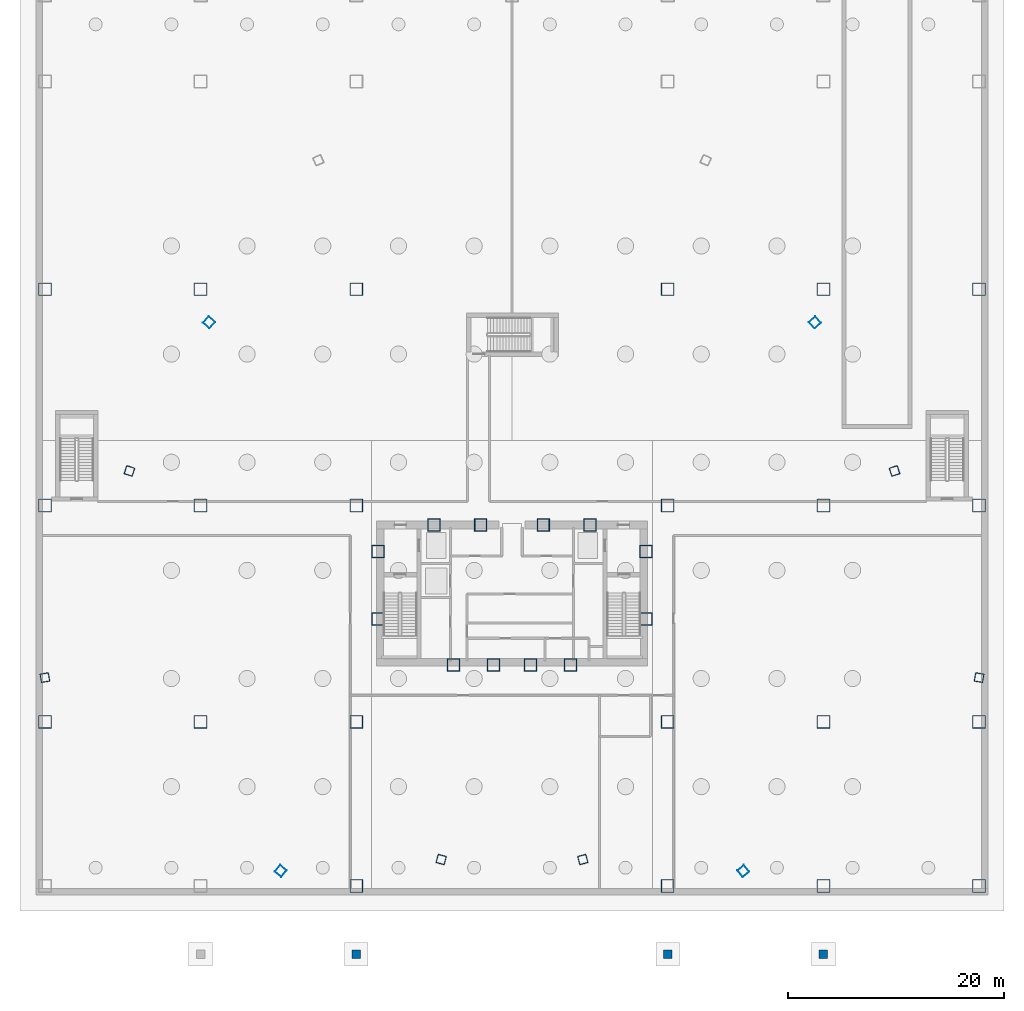
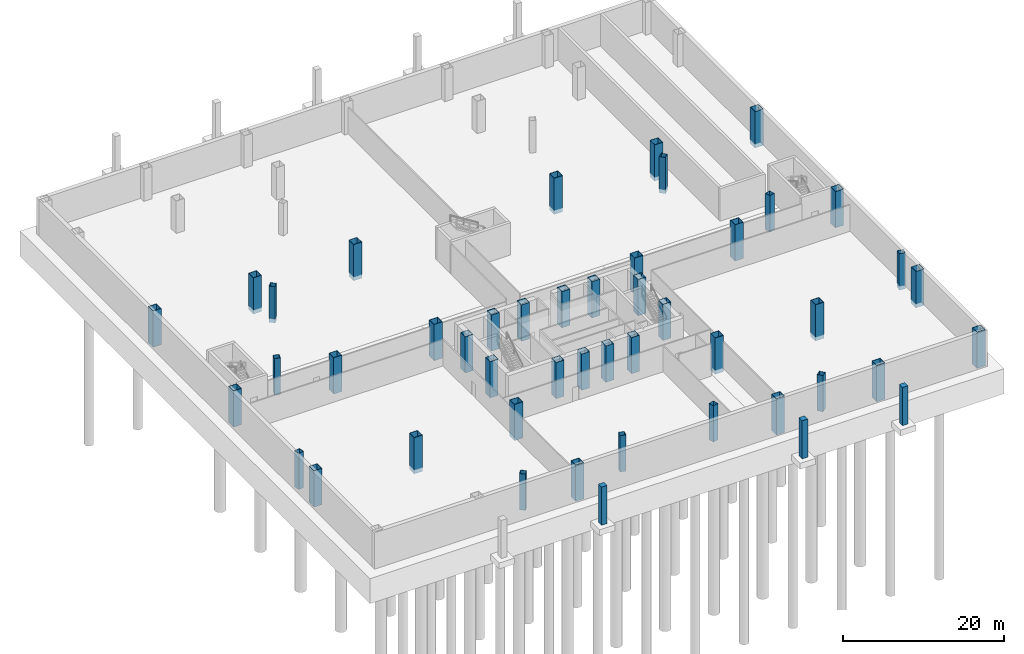
# One storey, part 2 of 15: 47 columns.
"""IFC4 building model written with IfcOpenShell, lengths in metres."""

from ifc_helpers import new_model, si_unit, direction, frame, origin, origin_2d, place, context, subcontext, project, spatial, rectangle, hollow_rectangle, extrude, source, transform, mapped, material, material_profile, profile_set, type_object, element, save


model = new_model("IFC4")

# Units and contexts
model_context = context("Model", 3, precision=1e-05, world=origin(), true_north=direction((0.0, 1.0)))
body_context = subcontext(model_context, "Body", "Model", "MODEL_VIEW")
ifc_project = project(units=[si_unit("LENGTHUNIT", "METRE"), si_unit("AREAUNIT", "SQUARE_METRE"), si_unit("VOLUMEUNIT", "CUBIC_METRE"), si_unit("PLANEANGLEUNIT", "RADIAN"), si_unit("MASSUNIT", "GRAM", prefix="KILO"), si_unit("THERMODYNAMICTEMPERATUREUNIT", "KELVIN"), si_unit("POWERUNIT", "WATT")], contexts=[model_context])

# Site, building, storey
site_placement = place(None, origin())
site = spatial("IfcSite", under=ifc_project, at=site_placement, CompositionType="ELEMENT")
building_placement = place(site_placement, origin())
building = spatial("IfcBuilding", under=site, at=building_placement, Name="Yunzhuo Pagoda Commons", CompositionType="ELEMENT")
storey_placement = place(building_placement, frame((0.0, 0.0, -10.0)))
storey = spatial("IfcBuildingStorey", under=building, at=storey_placement, Name="B02", CompositionType="ELEMENT", Elevation=-10.0)

# Columns
ifc_material_1 = material(Name="Structural steel Q420B", Category="steel")
ifc_material_profile_1 = material_profile(ifc_material_1, hollow_rectangle(XDim=1.14990234375, YDim=1.14990234375, WallThickness=0.048095703125, at=origin_2d()), Name="Structural steel Q420B")
ifc_profile_set_1 = profile_set([ifc_material_profile_1], Name="Structural steel Q420B")
column_type_1 = type_object("IfcColumnType", Name="C-COR Column BOX 1150x1150x48", PredefinedType="COLUMN", material=ifc_profile_set_1)
shared_shape_1 = source(origin(), body_context, "Body", "SweptSolid", [
    extrude(hollow_rectangle(XDim=1.14990234375, YDim=1.14990234375, WallThickness=0.048095703125, at=origin_2d()), origin(), (0.0, 0.0, 1.0), 5.5),
])
for number, where, z_axis, x_axis, name in (
    (1, (42.587890625, 27.25, -0.60009765625), (0.0, 0.0, 1.0), (1.0, 0.0, 0.0), "B02 core composite column F1C1"),
    (2, (46.27197265625, 27.25, -0.60009765625), (0.0, 0.0, 1.0), (1.0, 0.0, 0.0), "B02 core composite column F1C2"),
    (3, (49.728515625, 27.25, -0.60009765625), (0.0, 0.0, 1.0), (1.0, 0.0, 0.0), "B02 core composite column F1C3"),
    (4, (53.412109375, 27.25, -0.60009765625), (0.0, 0.0, 1.0), (1.0, 0.0, 0.0), "B02 core composite column F1C4"),
    (5, (60.39990234375, 31.513427734375, -0.60009765625), (0.0, 0.0, 1.0), (1.0, 0.0, 0.0), "B02 core composite column F2C1"),
    (6, (60.39990234375, 37.72900390625, -0.60009765625), (0.0, 0.0, 1.0), (1.0, 0.0, 0.0), "B02 core composite column F2C2"),
    (7, (55.218994140625, 40.199951171875, -0.60009765625), (0.0, 0.0, 1.0), (1.0, 0.0, 0.0), "B02 core composite column F2C3"),
    (8, (50.89404296875, 40.199951171875, -0.60009765625), (0.0, 0.0, 1.0), (1.0, 0.0, 0.0), "B02 core composite column F2C4"),
    (9, (45.10595703125, 40.199951171875, -0.60009765625), (0.0, 0.0, 1.0), (1.0, 0.0, 0.0), "B02 core composite column F3C1"),
    (10, (40.781005859375, 40.199951171875, -0.60009765625), (0.0, 0.0, 1.0), (1.0, 0.0, 0.0), "B02 core composite column F3C2"),
    (11, (35.60009765625, 37.72900390625, -0.60009765625), (0.0, 0.0, 1.0), (1.0, 0.0, 0.0), "B02 core composite column F3C3"),
    (12, (35.60009765625, 31.513427734375, -0.60009765625), (0.0, 0.0, 1.0), (1.0, 0.0, 0.0), "B02 core composite column F3C4"),
):
    element("IfcColumn", number, at=place(storey_placement, frame(where, z_axis=z_axis, x_axis=x_axis)), inside=storey, type_object=column_type_1, Name=name, PredefinedType="COLUMN", context=body_context, shape_type="MappedRepresentation", body=[
        mapped(shared_shape_1, transform((0.0, 0.0, 0.0), scale=1.0)),
    ])
ifc_material_profile_2 = material_profile(ifc_material_1, hollow_rectangle(XDim=1.199951171875, YDim=1.199951171875, WallThickness=0.050048828125, at=origin_2d()), Name="Structural steel Q420B")
ifc_profile_set_2 = profile_set([ifc_material_profile_2], Name="Structural steel Q420B")
column_type_2 = type_object("IfcColumnType", Name="C-POD Column BOX 1200x1200x50", PredefinedType="COLUMN", material=ifc_profile_set_2)
shared_shape_2 = source(origin(), body_context, "Body", "SweptSolid", [
    extrude(hollow_rectangle(XDim=1.199951171875, YDim=1.199951171875, WallThickness=0.050048828125, at=origin_2d()), origin(), (0.0, 0.0, 1.0), 5.5),
])
for number, where, z_axis, x_axis, name in (
    (13, (4.800048828125, 22.0, -0.60009765625), (0.0, 0.0, 1.0), (1.0, 0.0, 0.0), "B02 podium column P1_2"),
    (14, (4.800048828125, 42.0, -0.60009765625), (0.0, 0.0, 1.0), (1.0, 0.0, 0.0), "B02 podium column P1_3"),
    (15, (4.800048828125, 62.0, -0.60009765625), (0.0, 0.0, 1.0), (1.0, 0.0, 0.0), "B02 podium column P1_4"),
    (16, (19.199951171875, 22.0, -0.60009765625), (0.0, 0.0, 1.0), (1.0, 0.0, 0.0), "B02 podium column P2_2"),
    (17, (19.199951171875, 42.0, -0.60009765625), (0.0, 0.0, 1.0), (1.0, 0.0, 0.0), "B02 podium column P2_3"),
    (18, (19.199951171875, 62.0, -0.60009765625), (0.0, 0.0, 1.0), (1.0, 0.0, 0.0), "B02 podium column P2_4"),
    (19, (33.60009765625, 6.800048828125, -0.60009765625), (0.0, 0.0, 1.0), (1.0, 0.0, 0.0), "B02 podium column P3_1"),
    (20, (33.60009765625, 22.0, -0.60009765625), (0.0, 0.0, 1.0), (1.0, 0.0, 0.0), "B02 podium column P3_2"),
    (21, (33.60009765625, 42.0, -0.60009765625), (0.0, 0.0, 1.0), (1.0, 0.0, 0.0), "B02 podium column P3_3"),
    (22, (33.60009765625, 62.0, -0.60009765625), (0.0, 0.0, 1.0), (1.0, 0.0, 0.0), "B02 podium column P3_4"),
    (23, (62.39990234375, 6.800048828125, -0.60009765625), (0.0, 0.0, 1.0), (1.0, 0.0, 0.0), "B02 podium column P4_1"),
    (24, (62.39990234375, 22.0, -0.60009765625), (0.0, 0.0, 1.0), (1.0, 0.0, 0.0), "B02 podium column P4_2"),
    (25, (62.39990234375, 42.0, -0.60009765625), (0.0, 0.0, 1.0), (1.0, 0.0, 0.0), "B02 podium column P4_3"),
    (26, (62.39990234375, 62.0, -0.60009765625), (0.0, 0.0, 1.0), (1.0, 0.0, 0.0), "B02 podium column P4_4"),
    (27, (76.800048828125, 6.800048828125, -0.60009765625), (0.0, 0.0, 1.0), (1.0, 0.0, 0.0), "B02 podium column P5_1"),
    (28, (76.800048828125, 22.0, -0.60009765625), (0.0, 0.0, 1.0), (1.0, 0.0, 0.0), "B02 podium column P5_2"),
    (29, (76.800048828125, 42.0, -0.60009765625), (0.0, 0.0, 1.0), (1.0, 0.0, 0.0), "B02 podium column P5_3"),
    (30, (76.800048828125, 62.0, -0.60009765625), (0.0, 0.0, 1.0), (1.0, 0.0, 0.0), "B02 podium column P5_4"),
    (31, (91.199951171875, 6.800048828125, -0.60009765625), (0.0, 0.0, 1.0), (1.0, 0.0, 0.0), "B02 podium column P6_1"),
    (32, (91.199951171875, 22.0, -0.60009765625), (0.0, 0.0, 1.0), (1.0, 0.0, 0.0), "B02 podium column P6_2"),
    (33, (91.199951171875, 42.0, -0.60009765625), (0.0, 0.0, 1.0), (1.0, 0.0, 0.0), "B02 podium column P6_3"),
    (34, (91.199951171875, 62.0, -0.60009765625), (0.0, 0.0, 1.0), (1.0, 0.0, 0.0), "B02 podium column P6_4"),
):
    element("IfcColumn", number, at=place(storey_placement, frame(where, z_axis=z_axis, x_axis=x_axis)), inside=storey, type_object=column_type_2, Name=name, PredefinedType="COLUMN", context=body_context, shape_type="MappedRepresentation", body=[
        mapped(shared_shape_2, transform((0.0, 0.0, 0.0), scale=1.0)),
    ])
ifc_material_profile_3 = material_profile(ifc_material_1, hollow_rectangle(XDim=0.800048828125, YDim=0.800048828125, WallThickness=0.031982421875, at=origin_2d()), Name="Structural steel Q420B")
ifc_profile_set_3 = profile_set([ifc_material_profile_3], Name="Structural steel Q420B")
column_type_3 = type_object("IfcColumnType", Name="C-BUT Column BOX 800x800x32", PredefinedType="COLUMN", material=ifc_profile_set_3)
shared_shape_3 = source(origin(), body_context, "Body", "SweptSolid", [
    extrude(hollow_rectangle(XDim=0.800048828125, YDim=0.800048828125, WallThickness=0.031982421875, at=origin_2d()), origin(), (0.0, 0.0, 1.0), 5.5),
])
for number, where, z_axis, x_axis, name in (
    (35, (26.60302734375, 8.199951171875, -0.60009765625), (0.0, 0.0, 1.0), (0.766044443119, -0.642787609687, 0.0), "B02 podium transfer support column PR_F1C1"),
    (36, (41.45166015625, 9.260986328125, -0.60009765625), (0.0, 0.0, 1.0), (0.965925826289, -0.258819045103, 0.0), "B02 podium transfer support column PR_F1C2"),
    (37, (54.54833984375, 9.260986328125, -0.60009765625), (0.0, 0.0, 1.0), (0.965925826289, 0.258819045103, 0.0), "B02 podium transfer support column PR_F1C3"),
    (38, (69.39697265625, 8.199951171875, -0.60009765625), (0.0, 0.0, 1.0), (0.766044443119, 0.642787609687, 0.0), "B02 podium transfer support column PR_F1C4"),
    (39, (91.198974609375, 26.0830078125, -0.60009765625), (0.0, 0.0, 1.0), (0.173648177667, 0.984807753012, 0.0), "B02 podium transfer support column PR_F2C1"),
    (40, (83.37890625, 45.195556640625, -0.60009765625), (0.0, 0.0, 1.0), (-0.309016994375, 0.951056516295, 0.0), "B02 podium transfer support column PR_F2C2"),
    (41, (76.027099609375, 58.935302734375, -0.60009765625), (0.0, 0.0, 1.0), (-0.669130606359, 0.743144825477, 0.0), "B02 podium transfer support column PR_F2C3"),
    (42, (19.973388671875, 58.935302734375, -0.60009765625), (0.0, 0.0, 1.0), (-0.669130606359, -0.743144825477, 0.0), "B02 podium transfer support column PR_F3C2"),
    (43, (12.62109375, 45.195556640625, -0.60009765625), (0.0, 0.0, 1.0), (-0.309016994375, -0.951056516295, 0.0), "B02 podium transfer support column PR_F3C3"),
    (44, (4.801025390625, 26.0830078125, -0.60009765625), (0.0, 0.0, 1.0), (0.173648177667, -0.984807753012, 0.0), "B02 podium transfer support column PR_F3C4"),
):
    element("IfcColumn", number, at=place(storey_placement, frame(where, z_axis=z_axis, x_axis=x_axis)), inside=storey, type_object=column_type_3, Name=name, PredefinedType="COLUMN", context=body_context, shape_type="MappedRepresentation", body=[
        mapped(shared_shape_3, transform((0.0, 0.0, 0.0), scale=1.0)),
    ])
ifc_material_2 = material(Name="Concrete C50", Category="concrete")
ifc_material_profile_4 = material_profile(ifc_material_2, rectangle(XDim=0.800048828125, YDim=0.800048828125, at=origin_2d()), Name="Concrete C50")
ifc_profile_set_4 = profile_set([ifc_material_profile_4], Name="Concrete C50")
column_type_4 = type_object("IfcColumnType", Name="C-PIL2 Pilaster RC 800x800", PredefinedType="PILASTER", material=ifc_profile_set_4)
shared_shape_4 = source(origin(), body_context, "Body", "SweptSolid", [
    extrude(rectangle(XDim=0.800048828125, YDim=0.800048828125, at=origin_2d()), origin(), (0.0, 0.0, 1.0), 5.800048828125),
])
for number, where, z_axis, x_axis, name in (
    (45, (33.60009765625, 0.5, -0.60009765625), (0.0, 0.0, 1.0), (1.0, 0.0, 0.0), "South canopy foundation pier B02 S2"),
    (46, (62.39990234375, 0.5, -0.60009765625), (0.0, 0.0, 1.0), (1.0, 0.0, 0.0), "South canopy foundation pier B02 S3"),
    (47, (76.800048828125, 0.5, -0.60009765625), (0.0, 0.0, 1.0), (1.0, 0.0, 0.0), "South canopy foundation pier B02 S4"),
):
    element("IfcColumn", number, at=place(storey_placement, frame(where, z_axis=z_axis, x_axis=x_axis)), inside=storey, type_object=column_type_4, Name=name, PredefinedType="PILASTER", context=body_context, shape_type="MappedRepresentation", body=[
        mapped(shared_shape_4, transform((0.0, 0.0, 0.0), scale=1.0)),
    ])

save(model, "model.ifc")
